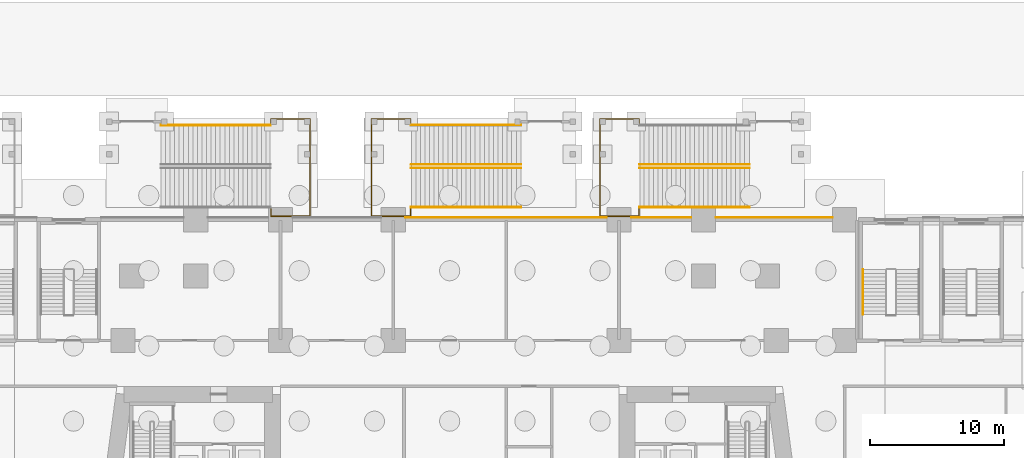
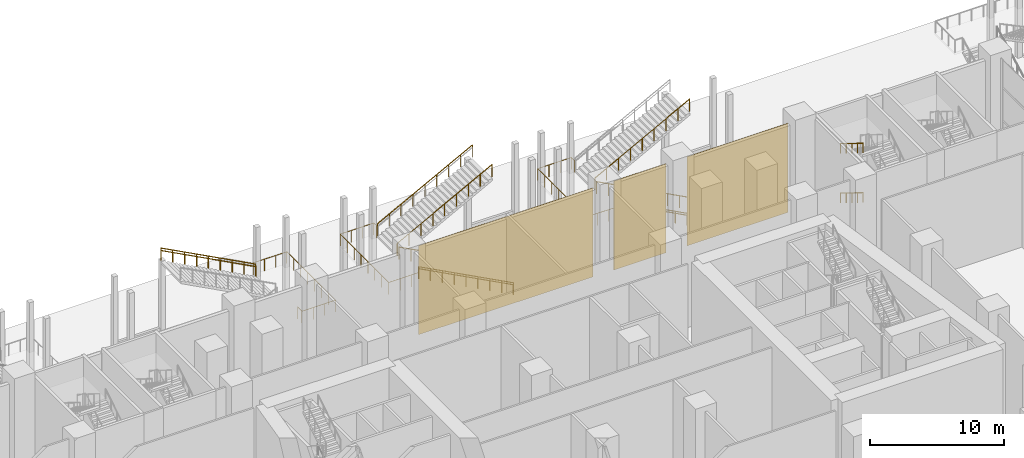
# One storey, part 69 of 72: 16 railings, 3 coverings.
"""IFC4 building model written with IfcOpenShell, lengths in metres."""

from ifc_helpers import new_model, si_unit, direction, frame, origin, origin_2d, place, context, subcontext, project, spatial, rectangle, circle, extrude, material, layer, layer_set, type_object, element, save


model = new_model("IFC4")

# Units and contexts
model_context = context("Model", 3, precision=1e-05, world=origin(), true_north=direction((0.0, 1.0)))
body_context = subcontext(model_context, "Body", "Model", "MODEL_VIEW")
ifc_project = project(units=[si_unit("LENGTHUNIT", "METRE"), si_unit("AREAUNIT", "SQUARE_METRE"), si_unit("VOLUMEUNIT", "CUBIC_METRE"), si_unit("PLANEANGLEUNIT", "RADIAN"), si_unit("MASSUNIT", "GRAM", prefix="KILO")], contexts=[model_context])

# Site, building, storey
site_placement = place(None, origin())
site = spatial("IfcSite", under=ifc_project, at=site_placement, CompositionType="ELEMENT")
building_placement = place(site_placement, origin())
building = spatial("IfcBuilding", under=site, at=building_placement, Name="Candeia Pilgrim Tower and Theatre", CompositionType="ELEMENT")
storey_placement = place(building_placement, origin())
storey = spatial("IfcBuildingStorey", under=building, at=storey_placement, Name="L00", CompositionType="ELEMENT", Elevation=0.0)

# Coverings
ifc_material_1 = material(Name="Glazed ceramic mosaic multi-colour")
ifc_layer = layer(ifc_material_1, 0.02490234375)
ifc_layer_set = layer_set([ifc_layer], Name="MS1 glazed ceramic mosaic")
covering_type = type_object("IfcCoveringType", Name="MS1 glazed ceramic mosaic", PredefinedType="CLADDING", material=ifc_layer_set)
covering_1_placement = place(storey_placement, frame((117.60009765625, 144.96240234375, 0.0), z_axis=(0.0, 0.0, 1.0), x_axis=(1.0, 0.0, 0.0)))
element("IfcCovering", 1, at=covering_1_placement, inside=storey, type_object=covering_type, Name="Mosaic panel", PredefinedType="CLADDING", context=body_context, shape_type="SweptSolid", body=[
    extrude(rectangle(XDim=15.0, YDim=0.02490234375, at=origin_2d()), origin(), (0.0, 0.0, 1.0), 8.10009765625),
])
covering_2_placement = place(storey_placement, frame((129.14990234375, 144.96240234375, 0.0), z_axis=(0.0, 0.0, 1.0), x_axis=(1.0, 0.0, 0.0)))
element("IfcCovering", 2, at=covering_2_placement, inside=storey, type_object=covering_type, Name="Mosaic panel", PredefinedType="CLADDING", context=body_context, shape_type="SweptSolid", body=[
    extrude(rectangle(XDim=4.5, YDim=0.02490234375, at=origin_2d()), origin(), (0.0, 0.0, 1.0), 8.10009765625),
])
covering_3_placement = place(storey_placement, frame((137.550048828125, 144.96240234375, 0.0), z_axis=(0.0, 0.0, 1.0), x_axis=(1.0, 0.0, 0.0)))
element("IfcCovering", 3, at=covering_3_placement, inside=storey, type_object=covering_type, Name="Mosaic panel", PredefinedType="CLADDING", context=body_context, shape_type="SweptSolid", body=[
    extrude(rectangle(XDim=8.699951171875, YDim=0.02490234375, at=origin_2d()), origin(), (0.0, 0.0, 1.0), 8.10009765625),
])

# Railings
ifc_material_2 = material(Name="Stainless steel balustrade", Category="steel")
railing_type_1 = type_object("IfcRailingType", Name="RL-GUARD-1100", PredefinedType="GUARDRAIL", material=ifc_material_2)
railing_1_placement = place(storey_placement, frame((100.06005859375, 151.85009765625, 4.679931640625)))
element("IfcRailing", 4, at=railing_1_placement, inside=storey, type_object=railing_type_1, Name="L00 ES5 stair guard 4", PredefinedType="GUARDRAIL", context=body_context, shape_type="SweptSolid", body=[
    extrude(circle(Radius=0.02392578125, at=origin_2d()), frame((0.0, 0.0, 1.076171875), z_axis=(-0.883788559524, 0.0, 0.467886505528), x_axis=(0.0, -1.0, 0.0)), (0.0, 0.0, 1.0), 9.233154296875),
    extrude(circle(Radius=0.02099609375, at=origin_2d()), origin(), (0.0, 0.0, 1.0), 1.052001953125),
    extrude(circle(Radius=0.02099609375, at=origin_2d()), frame((-1.02001953125, 0.0, 0.5400390625)), (0.0, 0.0, 1.0), 1.052001953125),
    extrude(circle(Radius=0.02099609375, at=origin_2d()), frame((-2.0400390625, 0.0, 1.080078125)), (0.0, 0.0, 1.0), 1.052001953125),
    extrude(circle(Radius=0.02099609375, at=origin_2d()), frame((-3.06005859375, 0.0, 1.6201171875)), (0.0, 0.0, 1.0), 1.052001953125),
    extrude(circle(Radius=0.02099609375, at=origin_2d()), frame((-4.080078125, 0.0, 2.16015625)), (0.0, 0.0, 1.0), 1.052001953125),
    extrude(circle(Radius=0.02099609375, at=origin_2d()), frame((-5.10009765625, 0.0, 2.699951171875)), (0.0, 0.0, 1.0), 1.052001953125),
    extrude(circle(Radius=0.02099609375, at=origin_2d()), frame((-6.1201171875, 0.0, 3.239990234375)), (0.0, 0.0, 1.0), 1.052001953125),
    extrude(circle(Radius=0.02099609375, at=origin_2d()), frame((-7.14013671875, 0.0, 3.780029296875)), (0.0, 0.0, 1.0), 1.052001953125),
    extrude(circle(Radius=0.02099609375, at=origin_2d()), frame((-8.16015625, 0.0, 4.320068359375)), (0.0, 0.0, 1.0), 1.052001953125),
])
railing_2_placement = place(storey_placement, frame((100.110107421875, 145.699951171875, 4.5)))
element("IfcRailing", 5, at=railing_2_placement, inside=storey, type_object=railing_type_1, Name="L00 ES5 stair guard 5", PredefinedType="GUARDRAIL", context=body_context, shape_type="SweptSolid", body=[
    extrude(circle(Radius=0.02392578125, at=origin_2d()), frame((0.0, 0.0, 1.076171875), z_axis=(0.0, -1.0, 0.0), x_axis=(1.0, 0.0, 0.0)), (0.0, 0.0, 1.0), 0.64990234375),
    extrude(circle(Radius=0.02392578125, at=origin_2d()), frame((0.0, -0.64990234375, 1.076171875), z_axis=(1.0, 0.0, 0.0), x_axis=(0.0, 1.0, 0.0)), (0.0, 0.0, 1.0), 2.89990234375),
    extrude(circle(Radius=0.02392578125, at=origin_2d()), frame((2.89990234375, -0.64990234375, 1.076171875), z_axis=(0.0, 1.0, 0.0), x_axis=(-1.0, 0.0, 0.0)), (0.0, 0.0, 1.0), 7.25),
    extrude(circle(Radius=0.02392578125, at=origin_2d()), frame((2.89990234375, 6.60009765625, 1.076171875), z_axis=(-1.0, 0.0, 0.0), x_axis=(0.0, -1.0, 0.0)), (0.0, 0.0, 1.0), 2.89990234375),
    extrude(circle(Radius=0.02392578125, at=origin_2d()), frame((0.0, 6.60009765625, 1.076171875), z_axis=(0.0, -1.0, 0.0), x_axis=(1.0, 0.0, 0.0)), (0.0, 0.0, 1.0), 0.449951171875),
    extrude(circle(Radius=0.02099609375, at=origin_2d()), origin(), (0.0, 0.0, 1.0), 1.052001953125),
    extrude(circle(Radius=0.02099609375, at=origin_2d()), frame((0.0, -0.64990234375, 0.0)), (0.0, 0.0, 1.0), 1.052001953125),
    extrude(circle(Radius=0.02099609375, at=origin_2d()), frame((0.966552734375, -0.64990234375, 0.0)), (0.0, 0.0, 1.0), 1.052001953125),
    extrude(circle(Radius=0.02099609375, at=origin_2d()), frame((1.933349609375, -0.64990234375, 0.0)), (0.0, 0.0, 1.0), 1.052001953125),
    extrude(circle(Radius=0.02099609375, at=origin_2d()), frame((2.89990234375, -0.64990234375, 0.0)), (0.0, 0.0, 1.0), 1.052001953125),
    extrude(circle(Radius=0.02099609375, at=origin_2d()), frame((2.89990234375, 0.3857421875, 0.0)), (0.0, 0.0, 1.0), 1.052001953125),
    extrude(circle(Radius=0.02099609375, at=origin_2d()), frame((2.89990234375, 1.421630859375, 0.0)), (0.0, 0.0, 1.0), 1.052001953125),
    extrude(circle(Radius=0.02099609375, at=origin_2d()), frame((2.89990234375, 2.457275390625, 0.0)), (0.0, 0.0, 1.0), 1.052001953125),
    extrude(circle(Radius=0.02099609375, at=origin_2d()), frame((2.89990234375, 3.492919921875, 0.0)), (0.0, 0.0, 1.0), 1.052001953125),
    extrude(circle(Radius=0.02099609375, at=origin_2d()), frame((2.89990234375, 4.528564453125, 0.0)), (0.0, 0.0, 1.0), 1.052001953125),
    extrude(circle(Radius=0.02099609375, at=origin_2d()), frame((2.89990234375, 5.564453125, 0.0)), (0.0, 0.0, 1.0), 1.052001953125),
    extrude(circle(Radius=0.02099609375, at=origin_2d()), frame((2.89990234375, 6.60009765625, 0.0)), (0.0, 0.0, 1.0), 1.052001953125),
    extrude(circle(Radius=0.02099609375, at=origin_2d()), frame((1.933349609375, 6.60009765625, 0.0)), (0.0, 0.0, 1.0), 1.052001953125),
    extrude(circle(Radius=0.02099609375, at=origin_2d()), frame((0.966552734375, 6.60009765625, 0.0)), (0.0, 0.0, 1.0), 1.052001953125),
    extrude(circle(Radius=0.02099609375, at=origin_2d()), frame((0.0, 6.60009765625, 0.0)), (0.0, 0.0, 1.0), 1.052001953125),
    extrude(circle(Radius=0.02099609375, at=origin_2d()), frame((0.0, 6.150146484375, 0.0)), (0.0, 0.0, 1.0), 1.052001953125),
])
railing_3_placement = place(storey_placement, frame((118.699951171875, 148.64990234375, 0.179931640625)))
element("IfcRailing", 6, at=railing_3_placement, inside=storey, type_object=railing_type_1, Name="L00 ES6 stair guard 1", PredefinedType="GUARDRAIL", context=body_context, shape_type="SweptSolid", body=[
    extrude(circle(Radius=0.02392578125, at=origin_2d()), frame((0.0, 0.0, 1.076171875), z_axis=(-0.883782770755, 0.0, 0.467897439742), x_axis=(0.0, -1.0, 0.0)), (0.0, 0.0, 1.0), 9.23291015625),
    extrude(circle(Radius=0.02099609375, at=origin_2d()), origin(), (0.0, 0.0, 1.0), 1.052001953125),
    extrude(circle(Radius=0.02099609375, at=origin_2d()), frame((-1.02001953125, 0.0, 0.5400390625)), (0.0, 0.0, 1.0), 1.052001953125),
    extrude(circle(Radius=0.02099609375, at=origin_2d()), frame((-2.0400390625, 0.0, 1.080078125)), (0.0, 0.0, 1.0), 1.052001953125),
    extrude(circle(Radius=0.02099609375, at=origin_2d()), frame((-3.06005859375, 0.0, 1.6201171875)), (0.0, 0.0, 1.0), 1.052001953125),
    extrude(circle(Radius=0.02099609375, at=origin_2d()), frame((-4.080078125, 0.0, 2.16015625)), (0.0, 0.0, 1.0), 1.052001953125),
    extrude(circle(Radius=0.02099609375, at=origin_2d()), frame((-5.099853515625, 0.0, 2.699951171875)), (0.0, 0.0, 1.0), 1.052001953125),
    extrude(circle(Radius=0.02099609375, at=origin_2d()), frame((-6.119873046875, 0.0, 3.239990234375)), (0.0, 0.0, 1.0), 1.052001953125),
    extrude(circle(Radius=0.02099609375, at=origin_2d()), frame((-7.139892578125, 0.0, 3.780029296875)), (0.0, 0.0, 1.0), 1.052001953125),
    extrude(circle(Radius=0.02099609375, at=origin_2d()), frame((-8.159912109375, 0.0, 4.320068359375)), (0.0, 0.0, 1.0), 1.052001953125),
])
railing_4_placement = place(storey_placement, frame((110.5400390625, 148.89990234375, 4.679931640625)))
element("IfcRailing", 7, at=railing_4_placement, inside=storey, type_object=railing_type_1, Name="L00 ES6 stair guard 2", PredefinedType="GUARDRAIL", context=body_context, shape_type="SweptSolid", body=[
    extrude(circle(Radius=0.02392578125, at=origin_2d()), frame((0.0, 0.0, 1.076171875), z_axis=(0.883782770755, 0.0, 0.467897439742), x_axis=(0.0, 1.0, 0.0)), (0.0, 0.0, 1.0), 9.23291015625),
    extrude(circle(Radius=0.02099609375, at=origin_2d()), origin(), (0.0, 0.0, 1.0), 1.052001953125),
    extrude(circle(Radius=0.02099609375, at=origin_2d()), frame((1.02001953125, 0.0, 0.5400390625)), (0.0, 0.0, 1.0), 1.052001953125),
    extrude(circle(Radius=0.02099609375, at=origin_2d()), frame((2.0400390625, 0.0, 1.080078125)), (0.0, 0.0, 1.0), 1.052001953125),
    extrude(circle(Radius=0.02099609375, at=origin_2d()), frame((3.06005859375, 0.0, 1.6201171875)), (0.0, 0.0, 1.0), 1.052001953125),
    extrude(circle(Radius=0.02099609375, at=origin_2d()), frame((4.080078125, 0.0, 2.16015625)), (0.0, 0.0, 1.0), 1.052001953125),
    extrude(circle(Radius=0.02099609375, at=origin_2d()), frame((5.099853515625, 0.0, 2.699951171875)), (0.0, 0.0, 1.0), 1.052001953125),
    extrude(circle(Radius=0.02099609375, at=origin_2d()), frame((6.119873046875, 0.0, 3.239990234375)), (0.0, 0.0, 1.0), 1.052001953125),
    extrude(circle(Radius=0.02099609375, at=origin_2d()), frame((7.139892578125, 0.0, 3.780029296875)), (0.0, 0.0, 1.0), 1.052001953125),
    extrude(circle(Radius=0.02099609375, at=origin_2d()), frame((8.159912109375, 0.0, 4.320068359375)), (0.0, 0.0, 1.0), 1.052001953125),
])
railing_5_placement = place(storey_placement, frame((118.699951171875, 145.699951171875, 0.179931640625)))
element("IfcRailing", 8, at=railing_5_placement, inside=storey, type_object=railing_type_1, Name="L00 ES6 stair guard 3", PredefinedType="GUARDRAIL", context=body_context, shape_type="SweptSolid", body=[
    extrude(circle(Radius=0.02392578125, at=origin_2d()), frame((0.0, 0.0, 1.076171875), z_axis=(-0.883782770755, 0.0, 0.467897439742), x_axis=(0.0, -1.0, 0.0)), (0.0, 0.0, 1.0), 9.23291015625),
    extrude(circle(Radius=0.02099609375, at=origin_2d()), origin(), (0.0, 0.0, 1.0), 1.052001953125),
    extrude(circle(Radius=0.02099609375, at=origin_2d()), frame((-1.02001953125, 0.0, 0.5400390625)), (0.0, 0.0, 1.0), 1.052001953125),
    extrude(circle(Radius=0.02099609375, at=origin_2d()), frame((-2.0400390625, 0.0, 1.080078125)), (0.0, 0.0, 1.0), 1.052001953125),
    extrude(circle(Radius=0.02099609375, at=origin_2d()), frame((-3.06005859375, 0.0, 1.6201171875)), (0.0, 0.0, 1.0), 1.052001953125),
    extrude(circle(Radius=0.02099609375, at=origin_2d()), frame((-4.080078125, 0.0, 2.16015625)), (0.0, 0.0, 1.0), 1.052001953125),
    extrude(circle(Radius=0.02099609375, at=origin_2d()), frame((-5.099853515625, 0.0, 2.699951171875)), (0.0, 0.0, 1.0), 1.052001953125),
    extrude(circle(Radius=0.02099609375, at=origin_2d()), frame((-6.119873046875, 0.0, 3.239990234375)), (0.0, 0.0, 1.0), 1.052001953125),
    extrude(circle(Radius=0.02099609375, at=origin_2d()), frame((-7.139892578125, 0.0, 3.780029296875)), (0.0, 0.0, 1.0), 1.052001953125),
    extrude(circle(Radius=0.02099609375, at=origin_2d()), frame((-8.159912109375, 0.0, 4.320068359375)), (0.0, 0.0, 1.0), 1.052001953125),
])
railing_6_placement = place(storey_placement, frame((110.5400390625, 151.85009765625, 4.679931640625)))
element("IfcRailing", 9, at=railing_6_placement, inside=storey, type_object=railing_type_1, Name="L00 ES6 stair guard 4", PredefinedType="GUARDRAIL", context=body_context, shape_type="SweptSolid", body=[
    extrude(circle(Radius=0.02392578125, at=origin_2d()), frame((0.0, 0.0, 1.076171875), z_axis=(0.883782770755, 0.0, 0.467897439742), x_axis=(0.0, 1.0, 0.0)), (0.0, 0.0, 1.0), 9.23291015625),
    extrude(circle(Radius=0.02099609375, at=origin_2d()), origin(), (0.0, 0.0, 1.0), 1.052001953125),
    extrude(circle(Radius=0.02099609375, at=origin_2d()), frame((1.02001953125, 0.0, 0.5400390625)), (0.0, 0.0, 1.0), 1.052001953125),
    extrude(circle(Radius=0.02099609375, at=origin_2d()), frame((2.0400390625, 0.0, 1.080078125)), (0.0, 0.0, 1.0), 1.052001953125),
    extrude(circle(Radius=0.02099609375, at=origin_2d()), frame((3.06005859375, 0.0, 1.6201171875)), (0.0, 0.0, 1.0), 1.052001953125),
    extrude(circle(Radius=0.02099609375, at=origin_2d()), frame((4.080078125, 0.0, 2.16015625)), (0.0, 0.0, 1.0), 1.052001953125),
    extrude(circle(Radius=0.02099609375, at=origin_2d()), frame((5.099853515625, 0.0, 2.699951171875)), (0.0, 0.0, 1.0), 1.052001953125),
    extrude(circle(Radius=0.02099609375, at=origin_2d()), frame((6.119873046875, 0.0, 3.239990234375)), (0.0, 0.0, 1.0), 1.052001953125),
    extrude(circle(Radius=0.02099609375, at=origin_2d()), frame((7.139892578125, 0.0, 3.780029296875)), (0.0, 0.0, 1.0), 1.052001953125),
    extrude(circle(Radius=0.02099609375, at=origin_2d()), frame((8.159912109375, 0.0, 4.320068359375)), (0.0, 0.0, 1.0), 1.052001953125),
])
railing_7_placement = place(storey_placement, frame((110.489990234375, 145.699951171875, 4.5)))
element("IfcRailing", 10, at=railing_7_placement, inside=storey, type_object=railing_type_1, Name="L00 ES6 stair guard 5", PredefinedType="GUARDRAIL", context=body_context, shape_type="SweptSolid", body=[
    extrude(circle(Radius=0.02392578125, at=origin_2d()), frame((0.0, 0.0, 1.076171875), z_axis=(0.0, -1.0, 0.0), x_axis=(1.0, 0.0, 0.0)), (0.0, 0.0, 1.0), 0.64990234375),
    extrude(circle(Radius=0.02392578125, at=origin_2d()), frame((0.0, -0.64990234375, 1.076171875), z_axis=(-1.0, 0.0, 0.0), x_axis=(0.0, -1.0, 0.0)), (0.0, 0.0, 1.0), 2.89990234375),
    extrude(circle(Radius=0.02392578125, at=origin_2d()), frame((-2.89990234375, -0.64990234375, 1.076171875), z_axis=(0.0, 1.0, 0.0), x_axis=(-1.0, 0.0, 0.0)), (0.0, 0.0, 1.0), 7.25),
    extrude(circle(Radius=0.02392578125, at=origin_2d()), frame((-2.89990234375, 6.60009765625, 1.076171875), z_axis=(1.0, 0.0, 0.0), x_axis=(0.0, 1.0, 0.0)), (0.0, 0.0, 1.0), 2.89990234375),
    extrude(circle(Radius=0.02392578125, at=origin_2d()), frame((0.0, 6.60009765625, 1.076171875), z_axis=(0.0, -1.0, 0.0), x_axis=(1.0, 0.0, 0.0)), (0.0, 0.0, 1.0), 0.449951171875),
    extrude(circle(Radius=0.02099609375, at=origin_2d()), origin(), (0.0, 0.0, 1.0), 1.052001953125),
    extrude(circle(Radius=0.02099609375, at=origin_2d()), frame((0.0, -0.64990234375, 0.0)), (0.0, 0.0, 1.0), 1.052001953125),
    extrude(circle(Radius=0.02099609375, at=origin_2d()), frame((-0.966552734375, -0.64990234375, 0.0)), (0.0, 0.0, 1.0), 1.052001953125),
    extrude(circle(Radius=0.02099609375, at=origin_2d()), frame((-1.933349609375, -0.64990234375, 0.0)), (0.0, 0.0, 1.0), 1.052001953125),
    extrude(circle(Radius=0.02099609375, at=origin_2d()), frame((-2.89990234375, -0.64990234375, 0.0)), (0.0, 0.0, 1.0), 1.052001953125),
    extrude(circle(Radius=0.02099609375, at=origin_2d()), frame((-2.89990234375, 0.3857421875, 0.0)), (0.0, 0.0, 1.0), 1.052001953125),
    extrude(circle(Radius=0.02099609375, at=origin_2d()), frame((-2.89990234375, 1.421630859375, 0.0)), (0.0, 0.0, 1.0), 1.052001953125),
    extrude(circle(Radius=0.02099609375, at=origin_2d()), frame((-2.89990234375, 2.457275390625, 0.0)), (0.0, 0.0, 1.0), 1.052001953125),
    extrude(circle(Radius=0.02099609375, at=origin_2d()), frame((-2.89990234375, 3.492919921875, 0.0)), (0.0, 0.0, 1.0), 1.052001953125),
    extrude(circle(Radius=0.02099609375, at=origin_2d()), frame((-2.89990234375, 4.528564453125, 0.0)), (0.0, 0.0, 1.0), 1.052001953125),
    extrude(circle(Radius=0.02099609375, at=origin_2d()), frame((-2.89990234375, 5.564453125, 0.0)), (0.0, 0.0, 1.0), 1.052001953125),
    extrude(circle(Radius=0.02099609375, at=origin_2d()), frame((-2.89990234375, 6.60009765625, 0.0)), (0.0, 0.0, 1.0), 1.052001953125),
    extrude(circle(Radius=0.02099609375, at=origin_2d()), frame((-1.933349609375, 6.60009765625, 0.0)), (0.0, 0.0, 1.0), 1.052001953125),
    extrude(circle(Radius=0.02099609375, at=origin_2d()), frame((-0.966552734375, 6.60009765625, 0.0)), (0.0, 0.0, 1.0), 1.052001953125),
    extrude(circle(Radius=0.02099609375, at=origin_2d()), frame((0.0, 6.60009765625, 0.0)), (0.0, 0.0, 1.0), 1.052001953125),
    extrude(circle(Radius=0.02099609375, at=origin_2d()), frame((0.0, 6.150146484375, 0.0)), (0.0, 0.0, 1.0), 1.052001953125),
])
railing_8_placement = place(storey_placement, frame((135.699951171875, 148.64990234375, 0.179931640625)))
element("IfcRailing", 11, at=railing_8_placement, inside=storey, type_object=railing_type_1, Name="L00 ES7 stair guard 1", PredefinedType="GUARDRAIL", context=body_context, shape_type="SweptSolid", body=[
    extrude(circle(Radius=0.02392578125, at=origin_2d()), frame((0.0, 0.0, 1.076171875), z_axis=(-0.883782770755, 0.0, 0.467897439742), x_axis=(0.0, -1.0, 0.0)), (0.0, 0.0, 1.0), 9.23291015625),
    extrude(circle(Radius=0.02099609375, at=origin_2d()), origin(), (0.0, 0.0, 1.0), 1.052001953125),
    extrude(circle(Radius=0.02099609375, at=origin_2d()), frame((-1.02001953125, 0.0, 0.5400390625)), (0.0, 0.0, 1.0), 1.052001953125),
    extrude(circle(Radius=0.02099609375, at=origin_2d()), frame((-2.0400390625, 0.0, 1.080078125)), (0.0, 0.0, 1.0), 1.052001953125),
    extrude(circle(Radius=0.02099609375, at=origin_2d()), frame((-3.06005859375, 0.0, 1.6201171875)), (0.0, 0.0, 1.0), 1.052001953125),
    extrude(circle(Radius=0.02099609375, at=origin_2d()), frame((-4.080078125, 0.0, 2.16015625)), (0.0, 0.0, 1.0), 1.052001953125),
    extrude(circle(Radius=0.02099609375, at=origin_2d()), frame((-5.099853515625, 0.0, 2.699951171875)), (0.0, 0.0, 1.0), 1.052001953125),
    extrude(circle(Radius=0.02099609375, at=origin_2d()), frame((-6.119873046875, 0.0, 3.239990234375)), (0.0, 0.0, 1.0), 1.052001953125),
    extrude(circle(Radius=0.02099609375, at=origin_2d()), frame((-7.139892578125, 0.0, 3.780029296875)), (0.0, 0.0, 1.0), 1.052001953125),
    extrude(circle(Radius=0.02099609375, at=origin_2d()), frame((-8.159912109375, 0.0, 4.320068359375)), (0.0, 0.0, 1.0), 1.052001953125),
])
railing_9_placement = place(storey_placement, frame((127.5400390625, 148.89990234375, 4.679931640625)))
element("IfcRailing", 12, at=railing_9_placement, inside=storey, type_object=railing_type_1, Name="L00 ES7 stair guard 2", PredefinedType="GUARDRAIL", context=body_context, shape_type="SweptSolid", body=[
    extrude(circle(Radius=0.02392578125, at=origin_2d()), frame((0.0, 0.0, 1.076171875), z_axis=(0.883782770755, 0.0, 0.467897439742), x_axis=(0.0, 1.0, 0.0)), (0.0, 0.0, 1.0), 9.23291015625),
    extrude(circle(Radius=0.02099609375, at=origin_2d()), origin(), (0.0, 0.0, 1.0), 1.052001953125),
    extrude(circle(Radius=0.02099609375, at=origin_2d()), frame((1.02001953125, 0.0, 0.5400390625)), (0.0, 0.0, 1.0), 1.052001953125),
    extrude(circle(Radius=0.02099609375, at=origin_2d()), frame((2.0400390625, 0.0, 1.080078125)), (0.0, 0.0, 1.0), 1.052001953125),
    extrude(circle(Radius=0.02099609375, at=origin_2d()), frame((3.06005859375, 0.0, 1.6201171875)), (0.0, 0.0, 1.0), 1.052001953125),
    extrude(circle(Radius=0.02099609375, at=origin_2d()), frame((4.080078125, 0.0, 2.16015625)), (0.0, 0.0, 1.0), 1.052001953125),
    extrude(circle(Radius=0.02099609375, at=origin_2d()), frame((5.099853515625, 0.0, 2.699951171875)), (0.0, 0.0, 1.0), 1.052001953125),
    extrude(circle(Radius=0.02099609375, at=origin_2d()), frame((6.119873046875, 0.0, 3.239990234375)), (0.0, 0.0, 1.0), 1.052001953125),
    extrude(circle(Radius=0.02099609375, at=origin_2d()), frame((7.139892578125, 0.0, 3.780029296875)), (0.0, 0.0, 1.0), 1.052001953125),
    extrude(circle(Radius=0.02099609375, at=origin_2d()), frame((8.159912109375, 0.0, 4.320068359375)), (0.0, 0.0, 1.0), 1.052001953125),
])
railing_10_placement = place(storey_placement, frame((135.699951171875, 145.699951171875, 0.179931640625)))
element("IfcRailing", 13, at=railing_10_placement, inside=storey, type_object=railing_type_1, Name="L00 ES7 stair guard 3", PredefinedType="GUARDRAIL", context=body_context, shape_type="SweptSolid", body=[
    extrude(circle(Radius=0.02392578125, at=origin_2d()), frame((0.0, 0.0, 1.076171875), z_axis=(-0.883782770755, 0.0, 0.467897439742), x_axis=(0.0, -1.0, 0.0)), (0.0, 0.0, 1.0), 9.23291015625),
    extrude(circle(Radius=0.02099609375, at=origin_2d()), origin(), (0.0, 0.0, 1.0), 1.052001953125),
    extrude(circle(Radius=0.02099609375, at=origin_2d()), frame((-1.02001953125, 0.0, 0.5400390625)), (0.0, 0.0, 1.0), 1.052001953125),
    extrude(circle(Radius=0.02099609375, at=origin_2d()), frame((-2.0400390625, 0.0, 1.080078125)), (0.0, 0.0, 1.0), 1.052001953125),
    extrude(circle(Radius=0.02099609375, at=origin_2d()), frame((-3.06005859375, 0.0, 1.6201171875)), (0.0, 0.0, 1.0), 1.052001953125),
    extrude(circle(Radius=0.02099609375, at=origin_2d()), frame((-4.080078125, 0.0, 2.16015625)), (0.0, 0.0, 1.0), 1.052001953125),
    extrude(circle(Radius=0.02099609375, at=origin_2d()), frame((-5.099853515625, 0.0, 2.699951171875)), (0.0, 0.0, 1.0), 1.052001953125),
    extrude(circle(Radius=0.02099609375, at=origin_2d()), frame((-6.119873046875, 0.0, 3.239990234375)), (0.0, 0.0, 1.0), 1.052001953125),
    extrude(circle(Radius=0.02099609375, at=origin_2d()), frame((-7.139892578125, 0.0, 3.780029296875)), (0.0, 0.0, 1.0), 1.052001953125),
    extrude(circle(Radius=0.02099609375, at=origin_2d()), frame((-8.159912109375, 0.0, 4.320068359375)), (0.0, 0.0, 1.0), 1.052001953125),
])
railing_11_placement = place(storey_placement, frame((127.489990234375, 145.699951171875, 4.5)))
element("IfcRailing", 14, at=railing_11_placement, inside=storey, type_object=railing_type_1, Name="L00 ES7 stair guard 5", PredefinedType="GUARDRAIL", context=body_context, shape_type="SweptSolid", body=[
    extrude(circle(Radius=0.02392578125, at=origin_2d()), frame((0.0, 0.0, 1.076171875), z_axis=(0.0, -1.0, 0.0), x_axis=(1.0, 0.0, 0.0)), (0.0, 0.0, 1.0), 0.64990234375),
    extrude(circle(Radius=0.02392578125, at=origin_2d()), frame((0.0, -0.64990234375, 1.076171875), z_axis=(-1.0, 0.0, 0.0), x_axis=(0.0, -1.0, 0.0)), (0.0, 0.0, 1.0), 2.89990234375),
    extrude(circle(Radius=0.02392578125, at=origin_2d()), frame((-2.89990234375, -0.64990234375, 1.076171875), z_axis=(0.0, 1.0, 0.0), x_axis=(-1.0, 0.0, 0.0)), (0.0, 0.0, 1.0), 7.25),
    extrude(circle(Radius=0.02392578125, at=origin_2d()), frame((-2.89990234375, 6.60009765625, 1.076171875), z_axis=(1.0, 0.0, 0.0), x_axis=(0.0, 1.0, 0.0)), (0.0, 0.0, 1.0), 2.89990234375),
    extrude(circle(Radius=0.02392578125, at=origin_2d()), frame((0.0, 6.60009765625, 1.076171875), z_axis=(0.0, -1.0, 0.0), x_axis=(1.0, 0.0, 0.0)), (0.0, 0.0, 1.0), 0.449951171875),
    extrude(circle(Radius=0.02099609375, at=origin_2d()), origin(), (0.0, 0.0, 1.0), 1.052001953125),
    extrude(circle(Radius=0.02099609375, at=origin_2d()), frame((0.0, -0.64990234375, 0.0)), (0.0, 0.0, 1.0), 1.052001953125),
    extrude(circle(Radius=0.02099609375, at=origin_2d()), frame((-0.966552734375, -0.64990234375, 0.0)), (0.0, 0.0, 1.0), 1.052001953125),
    extrude(circle(Radius=0.02099609375, at=origin_2d()), frame((-1.933349609375, -0.64990234375, 0.0)), (0.0, 0.0, 1.0), 1.052001953125),
    extrude(circle(Radius=0.02099609375, at=origin_2d()), frame((-2.89990234375, -0.64990234375, 0.0)), (0.0, 0.0, 1.0), 1.052001953125),
    extrude(circle(Radius=0.02099609375, at=origin_2d()), frame((-2.89990234375, 0.3857421875, 0.0)), (0.0, 0.0, 1.0), 1.052001953125),
    extrude(circle(Radius=0.02099609375, at=origin_2d()), frame((-2.89990234375, 1.421630859375, 0.0)), (0.0, 0.0, 1.0), 1.052001953125),
    extrude(circle(Radius=0.02099609375, at=origin_2d()), frame((-2.89990234375, 2.457275390625, 0.0)), (0.0, 0.0, 1.0), 1.052001953125),
    extrude(circle(Radius=0.02099609375, at=origin_2d()), frame((-2.89990234375, 3.492919921875, 0.0)), (0.0, 0.0, 1.0), 1.052001953125),
    extrude(circle(Radius=0.02099609375, at=origin_2d()), frame((-2.89990234375, 4.528564453125, 0.0)), (0.0, 0.0, 1.0), 1.052001953125),
    extrude(circle(Radius=0.02099609375, at=origin_2d()), frame((-2.89990234375, 5.564453125, 0.0)), (0.0, 0.0, 1.0), 1.052001953125),
    extrude(circle(Radius=0.02099609375, at=origin_2d()), frame((-2.89990234375, 6.60009765625, 0.0)), (0.0, 0.0, 1.0), 1.052001953125),
    extrude(circle(Radius=0.02099609375, at=origin_2d()), frame((-1.933349609375, 6.60009765625, 0.0)), (0.0, 0.0, 1.0), 1.052001953125),
    extrude(circle(Radius=0.02099609375, at=origin_2d()), frame((-0.966552734375, 6.60009765625, 0.0)), (0.0, 0.0, 1.0), 1.052001953125),
    extrude(circle(Radius=0.02099609375, at=origin_2d()), frame((0.0, 6.60009765625, 0.0)), (0.0, 0.0, 1.0), 1.052001953125),
    extrude(circle(Radius=0.02099609375, at=origin_2d()), frame((0.0, 6.150146484375, 0.0)), (0.0, 0.0, 1.0), 1.052001953125),
])
ifc_material_3 = material(Name="Stainless steel handrail", Category="steel")
railing_type_2 = type_object("IfcRailingType", Name="RL-HANDRAIL-900", PredefinedType="HANDRAIL", material=ifc_material_3)
for number, where, name in (
    (15, (144.175048828125, 141.0849609375, 2.423095703125), "L00 PS3 stair handrail 2"),
    (16, (144.175048828125, 141.0849609375, 6.923095703125), "L00 PS3 stair handrail 4"),
):
    element("IfcRailing", number, at=place(storey_placement, frame(where)), inside=storey, type_object=railing_type_2, Name=name, PredefinedType="HANDRAIL", context=body_context, shape_type="SweptSolid", body=[
        extrude(circle(Radius=0.02392578125, at=origin_2d()), frame((0.0, 0.0, 0.8759765625), z_axis=(0.0, -0.850606129759, 0.525803396734), x_axis=(1.0, 0.0, 0.0)), (0.0, 0.0, 1.0), 3.949951171875),
        extrude(circle(Radius=0.02099609375, at=origin_2d()), origin(), (0.0, 0.0, 1.0), 0.851806640625),
        extrude(circle(Radius=0.02099609375, at=origin_2d()), frame((0.0, -0.83984375, 0.519287109375)), (0.0, 0.0, 1.0), 0.851806640625),
        extrude(circle(Radius=0.02099609375, at=origin_2d()), frame((0.0, -1.679931640625, 1.03857421875)), (0.0, 0.0, 1.0), 0.851806640625),
        extrude(circle(Radius=0.02099609375, at=origin_2d()), frame((0.0, -2.52001953125, 1.5576171875)), (0.0, 0.0, 1.0), 0.851806640625),
        extrude(circle(Radius=0.02099609375, at=origin_2d()), frame((0.0, -3.35986328125, 2.076904296875)), (0.0, 0.0, 1.0), 0.851806640625),
    ])
railing_12_placement = place(storey_placement, frame((100.06005859375, 151.800048828125, 4.679931640625)))
element("IfcRailing", 17, at=railing_12_placement, inside=storey, type_object=railing_type_2, Name="L00 ES5 stair handrail 2", PredefinedType="HANDRAIL", context=body_context, shape_type="SweptSolid", body=[
    extrude(circle(Radius=0.02392578125, at=origin_2d()), frame((0.0, 0.0, 0.8759765625), z_axis=(-0.883788559524, 0.0, 0.467886505528), x_axis=(0.0, -1.0, 0.0)), (0.0, 0.0, 1.0), 9.233154296875),
    extrude(circle(Radius=0.02099609375, at=origin_2d()), origin(), (0.0, 0.0, 1.0), 0.851806640625),
    extrude(circle(Radius=0.02099609375, at=origin_2d()), frame((-1.02001953125, 0.0, 0.5400390625)), (0.0, 0.0, 1.0), 0.851806640625),
    extrude(circle(Radius=0.02099609375, at=origin_2d()), frame((-2.0400390625, 0.0, 1.080078125)), (0.0, 0.0, 1.0), 0.851806640625),
    extrude(circle(Radius=0.02099609375, at=origin_2d()), frame((-3.06005859375, 0.0, 1.6201171875)), (0.0, 0.0, 1.0), 0.851806640625),
    extrude(circle(Radius=0.02099609375, at=origin_2d()), frame((-4.080078125, 0.0, 2.16015625)), (0.0, 0.0, 1.0), 0.851806640625),
    extrude(circle(Radius=0.02099609375, at=origin_2d()), frame((-5.10009765625, 0.0, 2.699951171875)), (0.0, 0.0, 1.0), 0.851806640625),
    extrude(circle(Radius=0.02099609375, at=origin_2d()), frame((-6.1201171875, 0.0, 3.239990234375)), (0.0, 0.0, 1.0), 0.851806640625),
    extrude(circle(Radius=0.02099609375, at=origin_2d()), frame((-7.14013671875, 0.0, 3.780029296875)), (0.0, 0.0, 1.0), 0.851806640625),
    extrude(circle(Radius=0.02099609375, at=origin_2d()), frame((-8.16015625, 0.0, 4.320068359375)), (0.0, 0.0, 1.0), 0.851806640625),
])
for number, where, name in (
    (18, (118.699951171875, 145.75, 0.179931640625), "L00 ES6 stair handrail 1"),
    (19, (135.699951171875, 145.75, 0.179931640625), "L00 ES7 stair handrail 1"),
):
    element("IfcRailing", number, at=place(storey_placement, frame(where)), inside=storey, type_object=railing_type_2, Name=name, PredefinedType="HANDRAIL", context=body_context, shape_type="SweptSolid", body=[
        extrude(circle(Radius=0.02392578125, at=origin_2d()), frame((0.0, 0.0, 0.8759765625), z_axis=(-0.883782770755, 0.0, 0.467897439742), x_axis=(0.0, -1.0, 0.0)), (0.0, 0.0, 1.0), 9.23291015625),
        extrude(circle(Radius=0.02099609375, at=origin_2d()), origin(), (0.0, 0.0, 1.0), 0.851806640625),
        extrude(circle(Radius=0.02099609375, at=origin_2d()), frame((-1.02001953125, 0.0, 0.5400390625)), (0.0, 0.0, 1.0), 0.851806640625),
        extrude(circle(Radius=0.02099609375, at=origin_2d()), frame((-2.0400390625, 0.0, 1.080078125)), (0.0, 0.0, 1.0), 0.851806640625),
        extrude(circle(Radius=0.02099609375, at=origin_2d()), frame((-3.06005859375, 0.0, 1.6201171875)), (0.0, 0.0, 1.0), 0.851806640625),
        extrude(circle(Radius=0.02099609375, at=origin_2d()), frame((-4.080078125, 0.0, 2.16015625)), (0.0, 0.0, 1.0), 0.851806640625),
        extrude(circle(Radius=0.02099609375, at=origin_2d()), frame((-5.099853515625, 0.0, 2.699951171875)), (0.0, 0.0, 1.0), 0.851806640625),
        extrude(circle(Radius=0.02099609375, at=origin_2d()), frame((-6.119873046875, 0.0, 3.239990234375)), (0.0, 0.0, 1.0), 0.851806640625),
        extrude(circle(Radius=0.02099609375, at=origin_2d()), frame((-7.139892578125, 0.0, 3.780029296875)), (0.0, 0.0, 1.0), 0.851806640625),
        extrude(circle(Radius=0.02099609375, at=origin_2d()), frame((-8.159912109375, 0.0, 4.320068359375)), (0.0, 0.0, 1.0), 0.851806640625),
    ])

save(model, "model.ifc")
